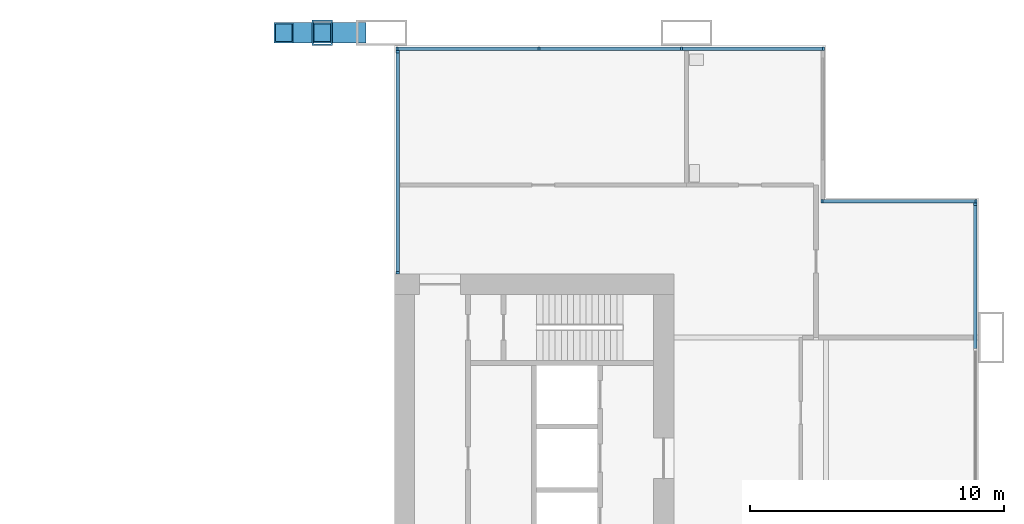
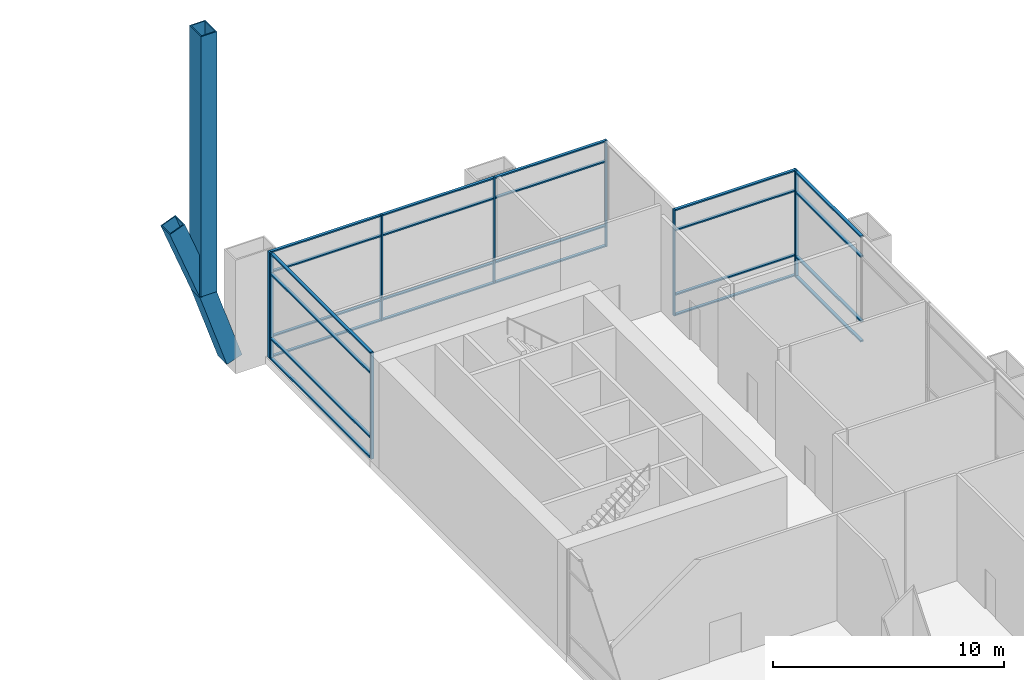
# One storey, part 17 of 30: 36 members, 4 elements without a shape of their own.
"""IFC4 building model written with IfcOpenShell, lengths in metres."""

from ifc_helpers import new_model, si_unit, direction, frame, origin, origin_2d, place, context, subcontext, project, spatial, rectangle, hollow_rectangle, extrude, material, material_profile, profile_set, type_object, element, aggregate, save


model = new_model("IFC4")

# Units and contexts
model_context = context("Model", 3, precision=1e-05, world=origin(), true_north=direction((0.0, 1.0)))
body_context = subcontext(model_context, "Body", "Model", "MODEL_VIEW")
ifc_project = project(units=[si_unit("LENGTHUNIT", "METRE"), si_unit("AREAUNIT", "SQUARE_METRE"), si_unit("VOLUMEUNIT", "CUBIC_METRE"), si_unit("PLANEANGLEUNIT", "RADIAN"), si_unit("MASSUNIT", "GRAM", prefix="KILO")], contexts=[model_context])

# Site, building, storey
site_placement = place(None, origin())
site = spatial("IfcSite", under=ifc_project, at=site_placement, CompositionType="ELEMENT")
building_placement = place(site_placement, origin())
building = spatial("IfcBuilding", under=site, at=building_placement, Name="Kitamizu Gate Tower and Museum", CompositionType="ELEMENT")
storey_placement = place(building_placement, frame((0.0, 0.0, 6.0)))
storey = spatial("IfcBuildingStorey", under=building, at=storey_placement, Name="L01", CompositionType="ELEMENT", Elevation=6.0)

# Members
ifc_material_1 = material(Name="Steel SM490A bronze coated", Category="steel")
ifc_material_profile_1 = material_profile(ifc_material_1, hollow_rectangle(XDim=0.800048828125, YDim=0.800048828125, WallThickness=0.050048828125, at=origin_2d()), Name="BOX 800x800x50")
ifc_profile_set_1 = profile_set([ifc_material_profile_1], Name="Steel SM490A bronze coated")
member_type_1 = type_object("IfcMemberType", Name="Arch rib AR1 BOX 800x800x50", PredefinedType="USERDEFINED", material=ifc_profile_set_1)
member_1_placement = place(storey_placement, frame((47.0, 48.0, 0.306396484375), z_axis=(-0.319044039377, 0.0, 0.947739890971), x_axis=(0.0, -1.0, 0.0)))
element("IfcMember", 1, at=member_1_placement, inside=storey, type_object=member_type_1, Name="Arch rib NE-1", ObjectType="ARCH RIB", PredefinedType="USERDEFINED", context=body_context, shape_type="SweptSolid", body=[
    extrude(hollow_rectangle(XDim=0.800048828125, YDim=0.800048828125, WallThickness=0.050048828125, at=origin_2d()), origin(), (0.0, 0.0, 1.0), 4.18505859375),
])
member_2_placement = place(storey_placement, frame((45.664794921875, 48.0, 4.272705078125), z_axis=(-0.363855278382, 0.0, 0.931455493512), x_axis=(0.0, -1.0, 0.0)))
element("IfcMember", 2, at=member_2_placement, inside=storey, type_object=member_type_1, Name="Arch rib NE-2", ObjectType="ARCH RIB", PredefinedType="USERDEFINED", context=body_context, shape_type="SweptSolid", body=[
    extrude(hollow_rectangle(XDim=0.800048828125, YDim=0.800048828125, WallThickness=0.050048828125, at=origin_2d()), origin(), (0.0, 0.0, 1.0), 4.179443359375),
])
ifc_material_2 = material(Name="Steel SM490A bronze coated", Category="steel")
ifc_material_profile_2 = material_profile(ifc_material_2, hollow_rectangle(XDim=0.800048828125, YDim=1.0, WallThickness=0.054931640625, at=origin_2d()), Name="BOX 800x1000x55")
ifc_profile_set_2 = profile_set([ifc_material_profile_2], Name="Steel SM490A bronze coated")
member_type_2 = type_object("IfcMemberType", Name="Arch rib tie post AP3 BOX 800x1000x55", PredefinedType="USERDEFINED", material=ifc_profile_set_2)
member_3_placement = place(storey_placement, frame((45.664794921875, 48.0, 4.272705078125), z_axis=(0.0, 0.0, 1.0), x_axis=(1.0, 0.0, 0.0)))
element("IfcMember", 3, at=member_3_placement, inside=storey, type_object=member_type_2, Name="Arch rib tie post NE-1", ObjectType="ARCH POST", PredefinedType="USERDEFINED", context=body_context, shape_type="SweptSolid", body=[
    extrude(hollow_rectangle(XDim=0.800048828125, YDim=1.0, WallThickness=0.054931640625, at=origin_2d()), origin(), (0.0, 0.0, 1.0), 13.727294921875),
])

# Curtain wall, members
ifc_material_3 = material(Name="Bronze anodised aluminium frame, tinted triple glazing", Category="aluminium")
curtain_wall_type_1 = type_object("IfcCurtainWallType", Name="CURTAIN WALL TYPE E PODIUM PLAZA", PredefinedType="NOTDEFINED", material=ifc_material_3)
curtain_wall_1_placement = place(storey_placement, origin())
curtain_wall_1 = element("IfcCurtainWall", 4, at=curtain_wall_1_placement, inside=storey, type_object=curtain_wall_type_1, Name="Curtain wall CW-E north L01", PredefinedType="NOTDEFINED")
ifc_material_4 = material(Name="Bronze anodised aluminium", Category="aluminium")
ifc_material_profile_3 = material_profile(ifc_material_4, rectangle(XDim=0.080078125, YDim=0.14990234375, at=origin_2d()), Name="AL 80X150")
ifc_profile_set_3 = profile_set([ifc_material_profile_3], Name="Bronze anodised aluminium")
member_type_3 = type_object("IfcMemberType", Name="MULLION 80 X 150 TYPE E", PredefinedType="MULLION", material=ifc_profile_set_3)
member_4_placement = place(storey_placement, frame((65.330078125, 41.364990234375, 0.0), z_axis=(0.0, 0.0, 1.0), x_axis=(1.0, 0.0, 0.0)))
member_4 = element("IfcMember", 5, at=member_4_placement, type_object=member_type_3, Name="CW-E mullion 1", PredefinedType="MULLION", context=body_context, shape_type="SweptSolid", body=[
    extrude(rectangle(XDim=0.080078125, YDim=0.14990234375, at=origin_2d()), origin(), (0.0, 0.0, 1.0), 5.60009765625),
])
member_5_placement = place(storey_placement, frame((71.39990234375, 41.364990234375, 0.0), z_axis=(0.0, 0.0, 1.0), x_axis=(1.0, 0.0, 0.0)))
member_5 = element("IfcMember", 6, at=member_5_placement, type_object=member_type_3, Name="CW-E mullion 2", PredefinedType="MULLION", context=body_context, shape_type="SweptSolid", body=[
    extrude(rectangle(XDim=0.080078125, YDim=0.14990234375, at=origin_2d()), origin(), (0.0, 0.0, 1.0), 5.60009765625),
])

curtain_wall_2_placement = place(storey_placement, origin())
curtain_wall_2 = element("IfcCurtainWall", 7, at=curtain_wall_2_placement, inside=storey, type_object=curtain_wall_type_1, Name="Curtain wall CW-E north L01", PredefinedType="NOTDEFINED")
member_6_placement = place(storey_placement, frame((48.60009765625, 47.364990234375, 0.0), z_axis=(0.0, 0.0, 1.0), x_axis=(1.0, 0.0, 0.0)))
member_6 = element("IfcMember", 8, at=member_6_placement, type_object=member_type_3, Name="CW-E mullion 1", PredefinedType="MULLION", context=body_context, shape_type="SweptSolid", body=[
    extrude(rectangle(XDim=0.080078125, YDim=0.14990234375, at=origin_2d()), origin(), (0.0, 0.0, 1.0), 5.60009765625),
])
member_7_placement = place(storey_placement, frame((54.186767578125, 47.364990234375, 0.0), z_axis=(0.0, 0.0, 1.0), x_axis=(1.0, 0.0, 0.0)))
member_7 = element("IfcMember", 9, at=member_7_placement, type_object=member_type_3, Name="CW-E mullion 2", PredefinedType="MULLION", context=body_context, shape_type="SweptSolid", body=[
    extrude(rectangle(XDim=0.080078125, YDim=0.14990234375, at=origin_2d()), origin(), (0.0, 0.0, 1.0), 5.60009765625),
])
member_8_placement = place(storey_placement, frame((59.813232421875, 47.364990234375, 0.0), z_axis=(0.0, 0.0, 1.0), x_axis=(1.0, 0.0, 0.0)))
member_8 = element("IfcMember", 10, at=member_8_placement, type_object=member_type_3, Name="CW-E mullion 3", PredefinedType="MULLION", context=body_context, shape_type="SweptSolid", body=[
    extrude(rectangle(XDim=0.080078125, YDim=0.14990234375, at=origin_2d()), origin(), (0.0, 0.0, 1.0), 5.60009765625),
])
member_9_placement = place(storey_placement, frame((65.39990234375, 47.364990234375, 0.0), z_axis=(0.0, 0.0, 1.0), x_axis=(1.0, 0.0, 0.0)))
member_9 = element("IfcMember", 11, at=member_9_placement, type_object=member_type_3, Name="CW-E mullion 4", PredefinedType="MULLION", context=body_context, shape_type="SweptSolid", body=[
    extrude(rectangle(XDim=0.080078125, YDim=0.14990234375, at=origin_2d()), origin(), (0.0, 0.0, 1.0), 5.60009765625),
])

ifc_material_5 = material(Name="Bronze anodised aluminium frame, tinted triple glazing", Category="aluminium")
curtain_wall_type_2 = type_object("IfcCurtainWallType", Name="CURTAIN WALL TYPE A PODIUM", PredefinedType="NOTDEFINED", material=ifc_material_5)
curtain_wall_3_placement = place(storey_placement, origin())
curtain_wall_3 = element("IfcCurtainWall", 12, at=curtain_wall_3_placement, inside=storey, type_object=curtain_wall_type_2, Name="Curtain wall CW-A west L01", PredefinedType="NOTDEFINED")
ifc_material_6 = material(Name="Bronze anodised aluminium", Category="aluminium")
ifc_material_profile_4 = material_profile(ifc_material_6, rectangle(XDim=0.090087890625, YDim=0.14990234375, at=origin_2d()), Name="AL 90X150")
ifc_profile_set_4 = profile_set([ifc_material_profile_4], Name="Bronze anodised aluminium")
member_type_4 = type_object("IfcMemberType", Name="MULLION 90 X 150 TYPE A", PredefinedType="MULLION", material=ifc_profile_set_4)
member_10_placement = place(storey_placement, frame((48.635009765625, 38.544921875, 0.0), z_axis=(0.0, 0.0, 1.0), x_axis=(0.0, 1.0, 0.0)))
member_10 = element("IfcMember", 13, at=member_10_placement, type_object=member_type_4, Name="CW-A mullion 1", PredefinedType="MULLION", context=body_context, shape_type="SweptSolid", body=[
    extrude(rectangle(XDim=0.090087890625, YDim=0.14990234375, at=origin_2d()), origin(), (0.0, 0.0, 1.0), 5.60009765625),
])
member_11_placement = place(storey_placement, frame((48.635009765625, 47.2451171875, 0.0), z_axis=(0.0, 0.0, 1.0), x_axis=(0.0, 1.0, 0.0)))
member_11 = element("IfcMember", 14, at=member_11_placement, type_object=member_type_4, Name="CW-A mullion 2", PredefinedType="MULLION", context=body_context, shape_type="SweptSolid", body=[
    extrude(rectangle(XDim=0.090087890625, YDim=0.14990234375, at=origin_2d()), origin(), (0.0, 0.0, 1.0), 5.60009765625),
])

# Curtain wall, member
curtain_wall_4_placement = place(storey_placement, origin())
curtain_wall_4 = element("IfcCurtainWall", 15, at=curtain_wall_4_placement, inside=storey, type_object=curtain_wall_type_2, Name="Curtain wall CW-A east L01", PredefinedType="NOTDEFINED")
member_12_placement = place(storey_placement, frame((71.364990234375, 41.2451171875, 0.0), z_axis=(0.0, 0.0, 1.0), x_axis=(0.0, 1.0, 0.0)))
member_12 = element("IfcMember", 16, at=member_12_placement, type_object=member_type_4, Name="CW-A mullion 7", PredefinedType="MULLION", context=body_context, shape_type="SweptSolid", body=[
    extrude(rectangle(XDim=0.090087890625, YDim=0.14990234375, at=origin_2d()), origin(), (0.0, 0.0, 1.0), 5.60009765625),
])

# Member
ifc_material_7 = material(Name="Bronze anodised aluminium", Category="aluminium")
ifc_material_profile_5 = material_profile(ifc_material_7, rectangle(XDim=0.139892578125, YDim=0.070068359375, at=origin_2d()), Name="AL 70X140")
ifc_profile_set_5 = profile_set([ifc_material_profile_5], Name="Bronze anodised aluminium")
member_type_5 = type_object("IfcMemberType", Name="TRANSOM 70 X 140 TYPE E", PredefinedType="USERDEFINED", material=ifc_profile_set_5)
member_13_placement = place(storey_placement, frame((65.3701171875, 41.364990234375, 0.034912109375), z_axis=(1.0, 0.0, 0.0), x_axis=(0.0, 1.0, 0.0)))
member_13 = element("IfcMember", 17, at=member_13_placement, type_object=member_type_5, Name="CW-E transom 1.1", ObjectType="TRANSOM", PredefinedType="USERDEFINED", context=body_context, shape_type="SweptSolid", body=[
    extrude(rectangle(XDim=0.139892578125, YDim=0.070068359375, at=origin_2d()), origin(), (0.0, 0.0, 1.0), 5.989990234375),
])

member_14_placement = place(storey_placement, frame((65.3701171875, 41.364990234375, 1.10009765625), z_axis=(1.0, 0.0, 0.0), x_axis=(0.0, 1.0, 0.0)))
member_14 = element("IfcMember", 18, at=member_14_placement, type_object=member_type_5, Name="CW-E transom 1.2", ObjectType="TRANSOM", PredefinedType="USERDEFINED", context=body_context, shape_type="SweptSolid", body=[
    extrude(rectangle(XDim=0.139892578125, YDim=0.070068359375, at=origin_2d()), origin(), (0.0, 0.0, 1.0), 5.989990234375),
])

member_15_placement = place(storey_placement, frame((65.3701171875, 41.364990234375, 4.5), z_axis=(1.0, 0.0, 0.0), x_axis=(0.0, 1.0, 0.0)))
member_15 = element("IfcMember", 19, at=member_15_placement, type_object=member_type_5, Name="CW-E transom 1.3", ObjectType="TRANSOM", PredefinedType="USERDEFINED", context=body_context, shape_type="SweptSolid", body=[
    extrude(rectangle(XDim=0.139892578125, YDim=0.070068359375, at=origin_2d()), origin(), (0.0, 0.0, 1.0), 5.989990234375),
])

member_16_placement = place(storey_placement, frame((65.3701171875, 41.364990234375, 5.56494140625), z_axis=(1.0, 0.0, 0.0), x_axis=(0.0, 1.0, 0.0)))
member_16 = element("IfcMember", 20, at=member_16_placement, type_object=member_type_5, Name="CW-E transom 1.4", ObjectType="TRANSOM", PredefinedType="USERDEFINED", context=body_context, shape_type="SweptSolid", body=[
    extrude(rectangle(XDim=0.139892578125, YDim=0.070068359375, at=origin_2d()), origin(), (0.0, 0.0, 1.0), 5.989990234375),
])

aggregate(curtain_wall_1, [member_4, member_5, member_13, member_14, member_15, member_16])

member_17_placement = place(storey_placement, frame((48.639892578125, 47.364990234375, 0.034912109375), z_axis=(1.0, 0.0, 0.0), x_axis=(0.0, 1.0, 0.0)))
member_17 = element("IfcMember", 21, at=member_17_placement, type_object=member_type_5, Name="CW-E transom 1.1", ObjectType="TRANSOM", PredefinedType="USERDEFINED", context=body_context, shape_type="SweptSolid", body=[
    extrude(rectangle(XDim=0.139892578125, YDim=0.070068359375, at=origin_2d()), origin(), (0.0, 0.0, 1.0), 5.5068359375),
])

member_18_placement = place(storey_placement, frame((48.639892578125, 47.364990234375, 1.10009765625), z_axis=(1.0, 0.0, 0.0), x_axis=(0.0, 1.0, 0.0)))
member_18 = element("IfcMember", 22, at=member_18_placement, type_object=member_type_5, Name="CW-E transom 1.2", ObjectType="TRANSOM", PredefinedType="USERDEFINED", context=body_context, shape_type="SweptSolid", body=[
    extrude(rectangle(XDim=0.139892578125, YDim=0.070068359375, at=origin_2d()), origin(), (0.0, 0.0, 1.0), 5.5068359375),
])

member_19_placement = place(storey_placement, frame((48.639892578125, 47.364990234375, 4.5), z_axis=(1.0, 0.0, 0.0), x_axis=(0.0, 1.0, 0.0)))
member_19 = element("IfcMember", 23, at=member_19_placement, type_object=member_type_5, Name="CW-E transom 1.3", ObjectType="TRANSOM", PredefinedType="USERDEFINED", context=body_context, shape_type="SweptSolid", body=[
    extrude(rectangle(XDim=0.139892578125, YDim=0.070068359375, at=origin_2d()), origin(), (0.0, 0.0, 1.0), 5.5068359375),
])

member_20_placement = place(storey_placement, frame((48.639892578125, 47.364990234375, 5.56494140625), z_axis=(1.0, 0.0, 0.0), x_axis=(0.0, 1.0, 0.0)))
member_20 = element("IfcMember", 24, at=member_20_placement, type_object=member_type_5, Name="CW-E transom 1.4", ObjectType="TRANSOM", PredefinedType="USERDEFINED", context=body_context, shape_type="SweptSolid", body=[
    extrude(rectangle(XDim=0.139892578125, YDim=0.070068359375, at=origin_2d()), origin(), (0.0, 0.0, 1.0), 5.5068359375),
])

member_21_placement = place(storey_placement, frame((54.2265625, 47.364990234375, 0.034912109375), z_axis=(1.0, 0.0, 0.0), x_axis=(0.0, 1.0, 0.0)))
member_21 = element("IfcMember", 25, at=member_21_placement, type_object=member_type_5, Name="CW-E transom 2.1", ObjectType="TRANSOM", PredefinedType="USERDEFINED", context=body_context, shape_type="SweptSolid", body=[
    extrude(rectangle(XDim=0.139892578125, YDim=0.070068359375, at=origin_2d()), origin(), (0.0, 0.0, 1.0), 5.546875),
])

member_22_placement = place(storey_placement, frame((54.2265625, 47.364990234375, 1.10009765625), z_axis=(1.0, 0.0, 0.0), x_axis=(0.0, 1.0, 0.0)))
member_22 = element("IfcMember", 26, at=member_22_placement, type_object=member_type_5, Name="CW-E transom 2.2", ObjectType="TRANSOM", PredefinedType="USERDEFINED", context=body_context, shape_type="SweptSolid", body=[
    extrude(rectangle(XDim=0.139892578125, YDim=0.070068359375, at=origin_2d()), origin(), (0.0, 0.0, 1.0), 5.546875),
])

member_23_placement = place(storey_placement, frame((54.2265625, 47.364990234375, 4.5), z_axis=(1.0, 0.0, 0.0), x_axis=(0.0, 1.0, 0.0)))
member_23 = element("IfcMember", 27, at=member_23_placement, type_object=member_type_5, Name="CW-E transom 2.3", ObjectType="TRANSOM", PredefinedType="USERDEFINED", context=body_context, shape_type="SweptSolid", body=[
    extrude(rectangle(XDim=0.139892578125, YDim=0.070068359375, at=origin_2d()), origin(), (0.0, 0.0, 1.0), 5.546875),
])

member_24_placement = place(storey_placement, frame((54.2265625, 47.364990234375, 5.56494140625), z_axis=(1.0, 0.0, 0.0), x_axis=(0.0, 1.0, 0.0)))
member_24 = element("IfcMember", 28, at=member_24_placement, type_object=member_type_5, Name="CW-E transom 2.4", ObjectType="TRANSOM", PredefinedType="USERDEFINED", context=body_context, shape_type="SweptSolid", body=[
    extrude(rectangle(XDim=0.139892578125, YDim=0.070068359375, at=origin_2d()), origin(), (0.0, 0.0, 1.0), 5.546875),
])

member_25_placement = place(storey_placement, frame((59.853271484375, 47.364990234375, 0.034912109375), z_axis=(1.0, 0.0, 0.0), x_axis=(0.0, 1.0, 0.0)))
member_25 = element("IfcMember", 29, at=member_25_placement, type_object=member_type_5, Name="CW-E transom 3.1", ObjectType="TRANSOM", PredefinedType="USERDEFINED", context=body_context, shape_type="SweptSolid", body=[
    extrude(rectangle(XDim=0.139892578125, YDim=0.070068359375, at=origin_2d()), origin(), (0.0, 0.0, 1.0), 5.5068359375),
])

member_26_placement = place(storey_placement, frame((59.853271484375, 47.364990234375, 1.10009765625), z_axis=(1.0, 0.0, 0.0), x_axis=(0.0, 1.0, 0.0)))
member_26 = element("IfcMember", 30, at=member_26_placement, type_object=member_type_5, Name="CW-E transom 3.2", ObjectType="TRANSOM", PredefinedType="USERDEFINED", context=body_context, shape_type="SweptSolid", body=[
    extrude(rectangle(XDim=0.139892578125, YDim=0.070068359375, at=origin_2d()), origin(), (0.0, 0.0, 1.0), 5.5068359375),
])

member_27_placement = place(storey_placement, frame((59.853271484375, 47.364990234375, 4.5), z_axis=(1.0, 0.0, 0.0), x_axis=(0.0, 1.0, 0.0)))
member_27 = element("IfcMember", 31, at=member_27_placement, type_object=member_type_5, Name="CW-E transom 3.3", ObjectType="TRANSOM", PredefinedType="USERDEFINED", context=body_context, shape_type="SweptSolid", body=[
    extrude(rectangle(XDim=0.139892578125, YDim=0.070068359375, at=origin_2d()), origin(), (0.0, 0.0, 1.0), 5.5068359375),
])

member_28_placement = place(storey_placement, frame((59.853271484375, 47.364990234375, 5.56494140625), z_axis=(1.0, 0.0, 0.0), x_axis=(0.0, 1.0, 0.0)))
member_28 = element("IfcMember", 32, at=member_28_placement, type_object=member_type_5, Name="CW-E transom 3.4", ObjectType="TRANSOM", PredefinedType="USERDEFINED", context=body_context, shape_type="SweptSolid", body=[
    extrude(rectangle(XDim=0.139892578125, YDim=0.070068359375, at=origin_2d()), origin(), (0.0, 0.0, 1.0), 5.5068359375),
])

aggregate(curtain_wall_2, [member_6, member_7, member_8, member_9, member_17, member_18, member_19, member_20, member_21, member_22, member_23, member_24, member_25, member_26, member_27, member_28])

ifc_material_8 = material(Name="Bronze anodised aluminium", Category="aluminium")
ifc_material_profile_6 = material_profile(ifc_material_8, rectangle(XDim=0.14990234375, YDim=0.080078125, at=origin_2d()), Name="AL 80X150")
ifc_profile_set_6 = profile_set([ifc_material_profile_6], Name="Bronze anodised aluminium")
member_type_6 = type_object("IfcMemberType", Name="TRANSOM 80 X 150 TYPE A", PredefinedType="USERDEFINED", material=ifc_profile_set_6)
member_29_placement = place(storey_placement, frame((48.635009765625, 38.590087890625, 0.0400390625), z_axis=(0.0, 1.0, 0.0), x_axis=(-1.0, 0.0, 0.0)))
member_29 = element("IfcMember", 33, at=member_29_placement, type_object=member_type_6, Name="CW-A transom 1.1", ObjectType="TRANSOM", PredefinedType="USERDEFINED", context=body_context, shape_type="SweptSolid", body=[
    extrude(rectangle(XDim=0.14990234375, YDim=0.080078125, at=origin_2d()), origin(), (0.0, 0.0, 1.0), 8.60986328125),
])

member_30_placement = place(storey_placement, frame((48.635009765625, 38.590087890625, 1.10009765625), z_axis=(0.0, 1.0, 0.0), x_axis=(-1.0, 0.0, 0.0)))
member_30 = element("IfcMember", 34, at=member_30_placement, type_object=member_type_6, Name="CW-A transom 1.2", ObjectType="TRANSOM", PredefinedType="USERDEFINED", context=body_context, shape_type="SweptSolid", body=[
    extrude(rectangle(XDim=0.14990234375, YDim=0.080078125, at=origin_2d()), origin(), (0.0, 0.0, 1.0), 8.60986328125),
])

member_31_placement = place(storey_placement, frame((48.635009765625, 38.590087890625, 4.5), z_axis=(0.0, 1.0, 0.0), x_axis=(-1.0, 0.0, 0.0)))
member_31 = element("IfcMember", 35, at=member_31_placement, type_object=member_type_6, Name="CW-A transom 1.3", ObjectType="TRANSOM", PredefinedType="USERDEFINED", context=body_context, shape_type="SweptSolid", body=[
    extrude(rectangle(XDim=0.14990234375, YDim=0.080078125, at=origin_2d()), origin(), (0.0, 0.0, 1.0), 8.60986328125),
])

member_32_placement = place(storey_placement, frame((48.635009765625, 38.590087890625, 5.56005859375), z_axis=(0.0, 1.0, 0.0), x_axis=(-1.0, 0.0, 0.0)))
member_32 = element("IfcMember", 36, at=member_32_placement, type_object=member_type_6, Name="CW-A transom 1.4", ObjectType="TRANSOM", PredefinedType="USERDEFINED", context=body_context, shape_type="SweptSolid", body=[
    extrude(rectangle(XDim=0.14990234375, YDim=0.080078125, at=origin_2d()), origin(), (0.0, 0.0, 1.0), 8.60986328125),
])

aggregate(curtain_wall_3, [member_10, member_11, member_29, member_30, member_31, member_32])

member_33_placement = place(storey_placement, frame((71.364990234375, 35.57177734375, 0.0400390625), z_axis=(0.0, 1.0, 0.0), x_axis=(-1.0, 0.0, 0.0)))
member_33 = element("IfcMember", 37, at=member_33_placement, type_object=member_type_6, Name="CW-A transom 6.1", ObjectType="TRANSOM", PredefinedType="USERDEFINED", context=body_context, shape_type="SweptSolid", body=[
    extrude(rectangle(XDim=0.14990234375, YDim=0.080078125, at=origin_2d()), origin(), (0.0, 0.0, 1.0), 5.628173828125),
])

member_34_placement = place(storey_placement, frame((71.364990234375, 35.57177734375, 1.10009765625), z_axis=(0.0, 1.0, 0.0), x_axis=(-1.0, 0.0, 0.0)))
member_34 = element("IfcMember", 38, at=member_34_placement, type_object=member_type_6, Name="CW-A transom 6.2", ObjectType="TRANSOM", PredefinedType="USERDEFINED", context=body_context, shape_type="SweptSolid", body=[
    extrude(rectangle(XDim=0.14990234375, YDim=0.080078125, at=origin_2d()), origin(), (0.0, 0.0, 1.0), 5.628173828125),
])

member_35_placement = place(storey_placement, frame((71.364990234375, 35.57177734375, 4.5), z_axis=(0.0, 1.0, 0.0), x_axis=(-1.0, 0.0, 0.0)))
member_35 = element("IfcMember", 39, at=member_35_placement, type_object=member_type_6, Name="CW-A transom 6.3", ObjectType="TRANSOM", PredefinedType="USERDEFINED", context=body_context, shape_type="SweptSolid", body=[
    extrude(rectangle(XDim=0.14990234375, YDim=0.080078125, at=origin_2d()), origin(), (0.0, 0.0, 1.0), 5.628173828125),
])

member_36_placement = place(storey_placement, frame((71.364990234375, 35.57177734375, 5.56005859375), z_axis=(0.0, 1.0, 0.0), x_axis=(-1.0, 0.0, 0.0)))
member_36 = element("IfcMember", 40, at=member_36_placement, type_object=member_type_6, Name="CW-A transom 6.4", ObjectType="TRANSOM", PredefinedType="USERDEFINED", context=body_context, shape_type="SweptSolid", body=[
    extrude(rectangle(XDim=0.14990234375, YDim=0.080078125, at=origin_2d()), origin(), (0.0, 0.0, 1.0), 5.628173828125),
])

aggregate(curtain_wall_4, [member_12, member_33, member_34, member_35, member_36])

save(model, "model.ifc")
